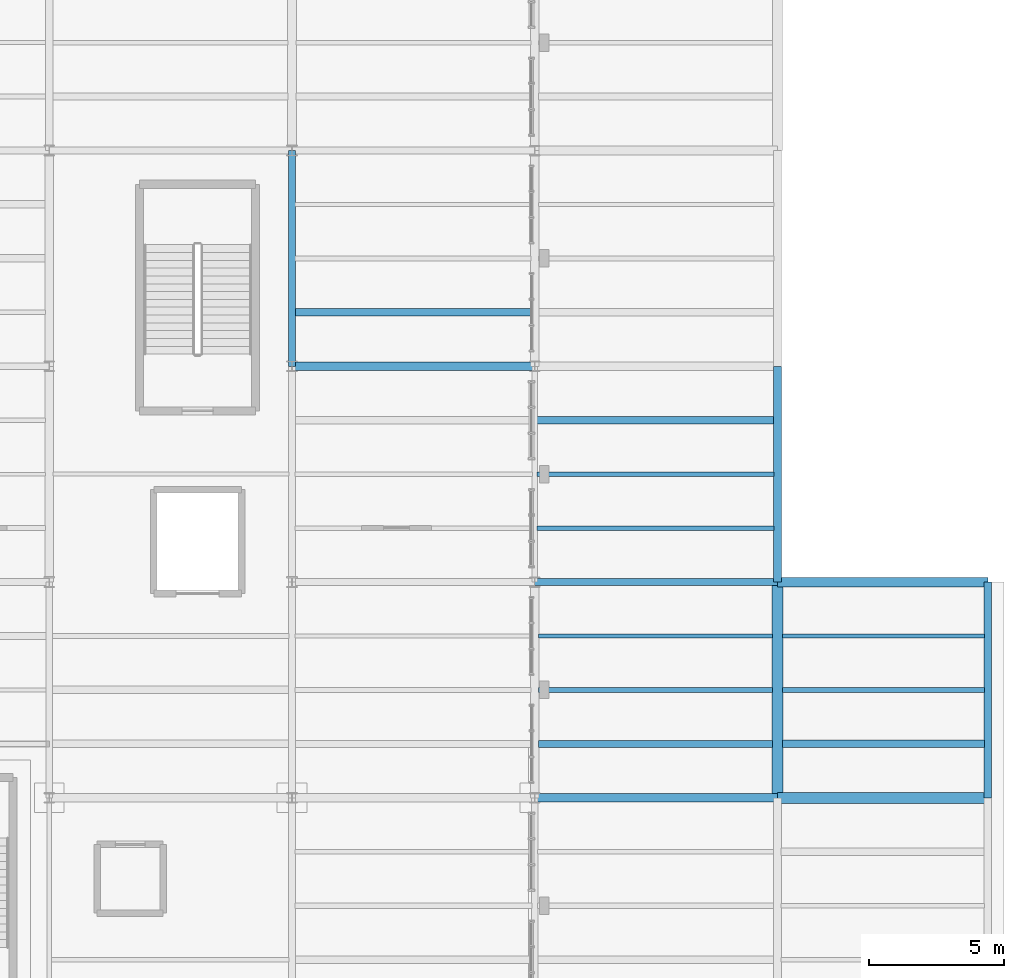
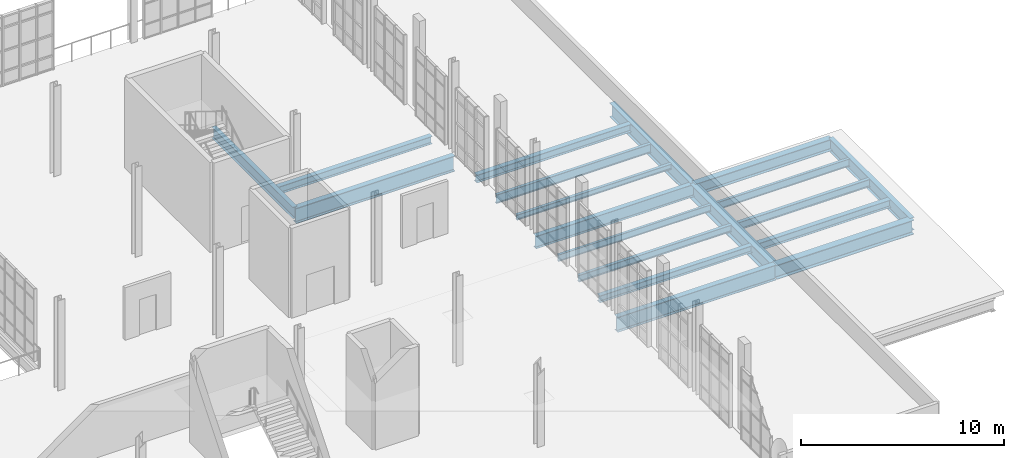
# One storey, part 79 of 142: 19 beams.
"""IFC4 building model written with IfcOpenShell, lengths in metres."""

from ifc_helpers import new_model, si_unit, direction, frame, origin, origin_2d, place, context, subcontext, project, spatial, i_section, extrude, material, material_profile, profile_set, type_object, element, save


model = new_model("IFC4")

# Units and contexts
model_context = context("Model", 3, precision=1e-05, world=origin(), true_north=direction((0.0, 1.0)))
body_context = subcontext(model_context, "Body", "Model", "MODEL_VIEW")
ifc_project = project(units=[si_unit("LENGTHUNIT", "METRE"), si_unit("AREAUNIT", "SQUARE_METRE"), si_unit("VOLUMEUNIT", "CUBIC_METRE"), si_unit("PLANEANGLEUNIT", "RADIAN"), si_unit("MASSUNIT", "GRAM", prefix="KILO"), si_unit("THERMODYNAMICTEMPERATUREUNIT", "KELVIN"), si_unit("POWERUNIT", "WATT")], contexts=[model_context])

# Site, building, storey
site_placement = place(None, origin())
site = spatial("IfcSite", under=ifc_project, at=site_placement, CompositionType="ELEMENT")
building_placement = place(site_placement, origin())
building = spatial("IfcBuilding", under=site, at=building_placement, Name="Zelmaris Science Centre", CompositionType="ELEMENT")
storey_placement = place(building_placement, frame((0.0, 0.0, 5.39990234375)))
storey = spatial("IfcBuildingStorey", under=building, at=storey_placement, Name="L01", CompositionType="ELEMENT", Elevation=5.39990234375)

# Beams
ifc_material = material(Name="Steel ASTM A992 Grade 50", Category="steel")
ifc_material_profile_1 = material_profile(ifc_material, i_section(OverallWidth=0.306884765625, OverallDepth=0.927001953125, WebThickness=0.019287109375, FlangeThickness=0.031982421875, FilletRadius=0.02392578125, at=origin_2d()), Name="W36X194")
ifc_profile_set_1 = profile_set([ifc_material_profile_1], Name="Steel ASTM A992 Grade 50")
beam_type_1 = type_object("IfcBeamType", Name="Beam G-03 W36X194", PredefinedType="BEAM", material=ifc_profile_set_1)
beam_1_placement = place(storey_placement, frame((135.0, 40.0, -0.743408203125), z_axis=(1.0, 0.0, 0.0), x_axis=(0.0, 1.0, 0.0)))
element("IfcBeam", 1, at=beam_1_placement, inside=storey, type_object=beam_type_1, Name="L01 East-west girder 372", PredefinedType="BEAM", context=body_context, shape_type="SweptSolid", body=[
    extrude(i_section(OverallWidth=0.306884765625, OverallDepth=0.927001953125, WebThickness=0.019287109375, FlangeThickness=0.031982421875, FilletRadius=0.02392578125, at=origin_2d()), origin(), (0.0, 0.0, 1.0), 9.0),
])
ifc_material_profile_2 = material_profile(ifc_material, i_section(OverallWidth=0.25390625, OverallDepth=0.68310546875, WebThickness=0.012451171875, FlangeThickness=0.018798828125, FilletRadius=0.01806640625, at=origin_2d()), Name="W27X94")
ifc_profile_set_2 = profile_set([ifc_material_profile_2], Name="Steel ASTM A992 Grade 50")
beam_type_2 = type_object("IfcBeamType", Name="Beam G-13 W27X94", PredefinedType="BEAM", material=ifc_profile_set_2)
beam_2_placement = place(storey_placement, frame((135.0, 40.0, -0.621337890625), z_axis=(0.0, 1.0, 0.0), x_axis=(-1.0, 0.0, 0.0)))
element("IfcBeam", 2, at=beam_2_placement, inside=storey, type_object=beam_type_2, Name="L01 North-south girder 317", PredefinedType="BEAM", context=body_context, shape_type="SweptSolid", body=[
    extrude(i_section(OverallWidth=0.25390625, OverallDepth=0.68310546875, WebThickness=0.012451171875, FlangeThickness=0.018798828125, FilletRadius=0.01806640625, at=origin_2d()), origin(), (0.0, 0.0, 1.0), 8.0),
])
ifc_material_profile_3 = material_profile(ifc_material, i_section(OverallWidth=0.304931640625, OverallDepth=0.912109375, WebThickness=0.015869140625, FlangeThickness=0.02392578125, FilletRadius=0.02392578125, at=origin_2d()), Name="W36X150")
ifc_profile_set_3 = profile_set([ifc_material_profile_3], Name="Steel ASTM A992 Grade 50")
beam_type_3 = type_object("IfcBeamType", Name="Beam G-27 W36X150", PredefinedType="BEAM", material=ifc_profile_set_3)
beam_3_placement = place(storey_placement, frame((144.0, 24.0, -0.73583984375), z_axis=(1.0, 0.0, 0.0), x_axis=(0.0, 1.0, 0.0)))
element("IfcBeam", 3, at=beam_3_placement, inside=storey, type_object=beam_type_3, Name="L01 East-west girder 357", PredefinedType="BEAM", context=body_context, shape_type="SweptSolid", body=[
    extrude(i_section(OverallWidth=0.304931640625, OverallDepth=0.912109375, WebThickness=0.015869140625, FlangeThickness=0.02392578125, FilletRadius=0.02392578125, at=origin_2d()), origin(), (0.0, 0.0, 1.0), 9.0),
])
ifc_material_profile_4 = material_profile(ifc_material, i_section(OverallWidth=0.404052734375, OverallDepth=0.861083984375, WebThickness=0.019775390625, FlangeThickness=0.032470703125, FilletRadius=0.02001953125, at=origin_2d()), Name="W33X221")
ifc_profile_set_4 = profile_set([ifc_material_profile_4], Name="Steel ASTM A992 Grade 50")
beam_type_4 = type_object("IfcBeamType", Name="Beam G-28 W33X221", PredefinedType="BEAM", material=ifc_profile_set_4)
beam_4_placement = place(storey_placement, frame((153.0, 24.0, -0.71044921875), z_axis=(0.0, 1.0, 0.0), x_axis=(-1.0, 0.0, 0.0)))
element("IfcBeam", 4, at=beam_4_placement, inside=storey, type_object=beam_type_4, Name="L01 North-south girder 327", PredefinedType="BEAM", context=body_context, shape_type="SweptSolid", body=[
    extrude(i_section(OverallWidth=0.404052734375, OverallDepth=0.861083984375, WebThickness=0.019775390625, FlangeThickness=0.032470703125, FilletRadius=0.02001953125, at=origin_2d()), origin(), (0.0, 0.0, 1.0), 8.0),
])
beam_5_placement = place(storey_placement, frame((153.0, 24.0, -0.71044921875), z_axis=(1.0, 0.0, 0.0), x_axis=(0.0, 1.0, 0.0)))
element("IfcBeam", 5, at=beam_5_placement, inside=storey, type_object=beam_type_4, Name="L01 East-west girder 358", PredefinedType="BEAM", context=body_context, shape_type="SweptSolid", body=[
    extrude(i_section(OverallWidth=0.404052734375, OverallDepth=0.861083984375, WebThickness=0.019775390625, FlangeThickness=0.032470703125, FilletRadius=0.02001953125, at=origin_2d()), origin(), (0.0, 0.0, 1.0), 7.800048828125),
])
ifc_material_profile_5 = material_profile(ifc_material, i_section(OverallWidth=0.2919921875, OverallDepth=0.85888671875, WebThickness=0.01708984375, FlangeThickness=0.031005859375, FilletRadius=0.02001953125, at=origin_2d()), Name="W33X169")
ifc_profile_set_5 = profile_set([ifc_material_profile_5], Name="Steel ASTM A992 Grade 50")
beam_type_5 = type_object("IfcBeamType", Name="Beam G-29 W33X169", PredefinedType="BEAM", material=ifc_profile_set_5)
beam_6_placement = place(storey_placement, frame((153.0, 32.0, -0.70947265625), z_axis=(0.0, 1.0, 0.0), x_axis=(-1.0, 0.0, 0.0)))
element("IfcBeam", 6, at=beam_6_placement, inside=storey, type_object=beam_type_5, Name="L01 North-south girder 328", PredefinedType="BEAM", context=body_context, shape_type="SweptSolid", body=[
    extrude(i_section(OverallWidth=0.2919921875, OverallDepth=0.85888671875, WebThickness=0.01708984375, FlangeThickness=0.031005859375, FilletRadius=0.02001953125, at=origin_2d()), origin(), (0.0, 0.0, 1.0), 8.0),
])
ifc_material_profile_6 = material_profile(ifc_material, i_section(OverallWidth=0.26708984375, OverallDepth=0.761962890625, WebThickness=0.014404296875, FlangeThickness=0.021484375, FilletRadius=0.01904296875, at=origin_2d()), Name="W30X116")
ifc_profile_set_6 = profile_set([ifc_material_profile_6], Name="Steel ASTM A992 Grade 50")
beam_type_6 = type_object("IfcBeamType", Name="Beam G-33 W30X116", PredefinedType="BEAM", material=ifc_profile_set_6)
beam_7_placement = place(storey_placement, frame((160.800048828125, 24.0, -0.660888671875), z_axis=(0.0, 1.0, 0.0), x_axis=(-1.0, 0.0, 0.0)))
element("IfcBeam", 7, at=beam_7_placement, inside=storey, type_object=beam_type_6, Name="L01 North-south girder 332", PredefinedType="BEAM", context=body_context, shape_type="SweptSolid", body=[
    extrude(i_section(OverallWidth=0.26708984375, OverallDepth=0.761962890625, WebThickness=0.014404296875, FlangeThickness=0.021484375, FilletRadius=0.01904296875, at=origin_2d()), origin(), (0.0, 0.0, 1.0), 8.0),
])
ifc_material_profile_7 = material_profile(ifc_material, i_section(OverallWidth=0.26708984375, OverallDepth=0.75390625, WebThickness=0.01318359375, FlangeThickness=0.01708984375, FilletRadius=0.01904296875, at=origin_2d()), Name="W30X99")
ifc_profile_set_7 = profile_set([ifc_material_profile_7], Name="Steel ASTM A992 Grade 50")
beam_type_7 = type_object("IfcBeamType", Name="Beam G-34 W30X99", PredefinedType="BEAM", material=ifc_profile_set_7)
beam_8_placement = place(storey_placement, frame((144.0, 32.0, -0.656982421875), z_axis=(1.0, 0.0, 0.0), x_axis=(0.0, 1.0, 0.0)))
element("IfcBeam", 8, at=beam_8_placement, inside=storey, type_object=beam_type_7, Name="L01 East-west girder 364", PredefinedType="BEAM", context=body_context, shape_type="SweptSolid", body=[
    extrude(i_section(OverallWidth=0.26708984375, OverallDepth=0.75390625, WebThickness=0.01318359375, FlangeThickness=0.01708984375, FilletRadius=0.01904296875, at=origin_2d()), origin(), (0.0, 0.0, 1.0), 9.0),
])
ifc_material_profile_8 = material_profile(ifc_material, i_section(OverallWidth=0.35595703125, OverallDepth=0.700927734375, WebThickness=0.016845703125, FlangeThickness=0.02734375, FilletRadius=0.01806640625, at=origin_2d()), Name="W27X161")
ifc_profile_set_8 = profile_set([ifc_material_profile_8], Name="Steel ASTM A992 Grade 50")
beam_type_8 = type_object("IfcBeamType", Name="Beam G-35 W27X161", PredefinedType="BEAM", material=ifc_profile_set_8)
beam_9_placement = place(storey_placement, frame((153.0, 32.0, -0.63037109375), z_axis=(1.0, 0.0, 0.0), x_axis=(0.0, 1.0, 0.0)))
element("IfcBeam", 9, at=beam_9_placement, inside=storey, type_object=beam_type_8, Name="L01 East-west girder 365", PredefinedType="BEAM", context=body_context, shape_type="SweptSolid", body=[
    extrude(i_section(OverallWidth=0.35595703125, OverallDepth=0.700927734375, WebThickness=0.016845703125, FlangeThickness=0.02734375, FilletRadius=0.01806640625, at=origin_2d()), origin(), (0.0, 0.0, 1.0), 7.800048828125),
])
ifc_material_profile_9 = material_profile(ifc_material, i_section(OverallWidth=0.16796875, OverallDepth=0.532958984375, WebThickness=0.01025390625, FlangeThickness=0.0166015625, FilletRadius=0.013916015625, at=origin_2d()), Name="W21X57")
ifc_profile_set_9 = profile_set([ifc_material_profile_9], Name="Steel ASTM A992 Grade 50")
beam_type_9 = type_object("IfcBeamType", Name="Beam J-01 W21X57", PredefinedType="JOIST", material=ifc_profile_set_9)
beam_10_placement = place(storey_placement, frame((144.090576171875, 36.0, -0.54638671875), z_axis=(1.0, 0.0, 0.0), x_axis=(0.0, 1.0, 0.0)))
element("IfcBeam", 10, at=beam_10_placement, inside=storey, type_object=beam_type_9, Name="L01 Composite floor joist 225", PredefinedType="JOIST", context=body_context, shape_type="SweptSolid", body=[
    extrude(i_section(OverallWidth=0.16796875, OverallDepth=0.532958984375, WebThickness=0.01025390625, FlangeThickness=0.0166015625, FilletRadius=0.013916015625, at=origin_2d()), origin(), (0.0, 0.0, 1.0), 8.7783203125),
])
ifc_material_profile_10 = material_profile(ifc_material, i_section(OverallWidth=0.281982421875, OverallDepth=0.471923828125, WebThickness=0.013671875, FlangeThickness=0.022216796875, FilletRadius=0.012939453125, at=origin_2d()), Name="W18X97")
ifc_profile_set_10 = profile_set([ifc_material_profile_10], Name="Steel ASTM A992 Grade 50")
beam_type_10 = type_object("IfcBeamType", Name="Beam J-02 W18X97", PredefinedType="JOIST", material=ifc_profile_set_10)
beam_11_placement = place(storey_placement, frame((144.090576171875, 38.0, -0.515869140625), z_axis=(1.0, 0.0, 0.0), x_axis=(0.0, 1.0, 0.0)))
element("IfcBeam", 11, at=beam_11_placement, inside=storey, type_object=beam_type_10, Name="L01 Composite floor joist 226", PredefinedType="JOIST", context=body_context, shape_type="SweptSolid", body=[
    extrude(i_section(OverallWidth=0.281982421875, OverallDepth=0.471923828125, WebThickness=0.013671875, FlangeThickness=0.022216796875, FilletRadius=0.012939453125, at=origin_2d()), origin(), (0.0, 0.0, 1.0), 8.7783203125),
])
ifc_material_profile_11 = material_profile(ifc_material, i_section(OverallWidth=0.279052734375, OverallDepth=0.4619140625, WebThickness=0.0107421875, FlangeThickness=0.017333984375, FilletRadius=0.012939453125, at=origin_2d()), Name="W18X76")
ifc_profile_set_11 = profile_set([ifc_material_profile_11], Name="Steel ASTM A992 Grade 50")
beam_type_11 = type_object("IfcBeamType", Name="Beam J-03 W18X76", PredefinedType="JOIST", material=ifc_profile_set_11)
beam_12_placement = place(storey_placement, frame((135.112060546875, 42.0, -0.510986328125), z_axis=(1.0, 0.0, 0.0), x_axis=(0.0, 1.0, 0.0)))
element("IfcBeam", 12, at=beam_12_placement, inside=storey, type_object=beam_type_11, Name="L01 Composite floor joist 209", PredefinedType="JOIST", context=body_context, shape_type="SweptSolid", body=[
    extrude(i_section(OverallWidth=0.279052734375, OverallDepth=0.4619140625, WebThickness=0.0107421875, FlangeThickness=0.017333984375, FilletRadius=0.012939453125, at=origin_2d()), origin(), (0.0, 0.0, 1.0), 8.7529296875),
])
beam_13_placement = place(storey_placement, frame((153.18701171875, 26.0, -0.510986328125), z_axis=(1.0, 0.0, 0.0), x_axis=(0.0, 1.0, 0.0)))
element("IfcBeam", 13, at=beam_13_placement, inside=storey, type_object=beam_type_11, Name="L01 Composite floor joist 236", PredefinedType="JOIST", context=body_context, shape_type="SweptSolid", body=[
    extrude(i_section(OverallWidth=0.279052734375, OverallDepth=0.4619140625, WebThickness=0.0107421875, FlangeThickness=0.017333984375, FilletRadius=0.012939453125, at=origin_2d()), origin(), (0.0, 0.0, 1.0), 7.494384765625),
])
ifc_material_profile_12 = material_profile(ifc_material, i_section(OverallWidth=0.19091796875, OverallDepth=0.4599609375, WebThickness=0.010009765625, FlangeThickness=0.01611328125, FilletRadius=0.012939453125, at=origin_2d()), Name="W18X55")
ifc_profile_set_12 = profile_set([ifc_material_profile_12], Name="Steel ASTM A992 Grade 50")
beam_type_12 = type_object("IfcBeamType", Name="Beam J-04 W18X55", PredefinedType="JOIST", material=ifc_profile_set_12)
beam_14_placement = place(storey_placement, frame((153.18701171875, 28.0, -0.510009765625), z_axis=(1.0, 0.0, 0.0), x_axis=(0.0, 1.0, 0.0)))
element("IfcBeam", 14, at=beam_14_placement, inside=storey, type_object=beam_type_12, Name="L01 Composite floor joist 237", PredefinedType="JOIST", context=body_context, shape_type="SweptSolid", body=[
    extrude(i_section(OverallWidth=0.19091796875, OverallDepth=0.4599609375, WebThickness=0.010009765625, FlangeThickness=0.01611328125, FilletRadius=0.012939453125, at=origin_2d()), origin(), (0.0, 0.0, 1.0), 7.494384765625),
])
ifc_material_profile_13 = material_profile(ifc_material, i_section(OverallWidth=0.152099609375, OverallDepth=0.455078125, WebThickness=0.008056640625, FlangeThickness=0.01318359375, FilletRadius=0.012939453125, at=origin_2d()), Name="W18X40")
ifc_profile_set_13 = profile_set([ifc_material_profile_13], Name="Steel ASTM A992 Grade 50")
beam_type_13 = type_object("IfcBeamType", Name="Beam J-05 W18X40", PredefinedType="JOIST", material=ifc_profile_set_13)
beam_15_placement = place(storey_placement, frame((153.18701171875, 30.0, -0.50732421875), z_axis=(1.0, 0.0, 0.0), x_axis=(0.0, 1.0, 0.0)))
element("IfcBeam", 15, at=beam_15_placement, inside=storey, type_object=beam_type_13, Name="L01 Composite floor joist 238", PredefinedType="JOIST", context=body_context, shape_type="SweptSolid", body=[
    extrude(i_section(OverallWidth=0.152099609375, OverallDepth=0.455078125, WebThickness=0.008056640625, FlangeThickness=0.01318359375, FilletRadius=0.012939453125, at=origin_2d()), origin(), (0.0, 0.0, 1.0), 7.494384765625),
])
ifc_material_profile_14 = material_profile(ifc_material, i_section(OverallWidth=0.260009765625, OverallDepth=0.4140625, WebThickness=0.010009765625, FlangeThickness=0.016845703125, FilletRadius=0.011962890625, at=origin_2d()), Name="W16X67")
ifc_profile_set_14 = profile_set([ifc_material_profile_14], Name="Steel ASTM A992 Grade 50")
beam_type_14 = type_object("IfcBeamType", Name="Beam J-06 W16X67", PredefinedType="JOIST", material=ifc_profile_set_14)
beam_16_placement = place(storey_placement, frame((144.14111328125, 26.0, -0.48681640625), z_axis=(1.0, 0.0, 0.0), x_axis=(0.0, 1.0, 0.0)))
element("IfcBeam", 16, at=beam_16_placement, inside=storey, type_object=beam_type_14, Name="L01 Composite floor joist 221", PredefinedType="JOIST", context=body_context, shape_type="SweptSolid", body=[
    extrude(i_section(OverallWidth=0.260009765625, OverallDepth=0.4140625, WebThickness=0.010009765625, FlangeThickness=0.016845703125, FilletRadius=0.011962890625, at=origin_2d()), origin(), (0.0, 0.0, 1.0), 8.671875),
])
ifc_material_profile_15 = material_profile(ifc_material, i_section(OverallWidth=0.177978515625, OverallDepth=0.408935546875, WebThickness=0.0087890625, FlangeThickness=0.014404296875, FilletRadius=0.011962890625, at=origin_2d()), Name="W16X45")
ifc_profile_set_15 = profile_set([ifc_material_profile_15], Name="Steel ASTM A992 Grade 50")
beam_type_15 = type_object("IfcBeamType", Name="Beam J-07 W16X45", PredefinedType="JOIST", material=ifc_profile_set_15)
beam_17_placement = place(storey_placement, frame((144.14111328125, 28.0, -0.484375), z_axis=(1.0, 0.0, 0.0), x_axis=(0.0, 1.0, 0.0)))
element("IfcBeam", 17, at=beam_17_placement, inside=storey, type_object=beam_type_15, Name="L01 Composite floor joist 222", PredefinedType="JOIST", context=body_context, shape_type="SweptSolid", body=[
    extrude(i_section(OverallWidth=0.177978515625, OverallDepth=0.408935546875, WebThickness=0.0087890625, FlangeThickness=0.014404296875, FilletRadius=0.011962890625, at=origin_2d()), origin(), (0.0, 0.0, 1.0), 8.671875),
])
ifc_material_profile_16 = material_profile(ifc_material, i_section(OverallWidth=0.139892578125, OverallDepth=0.404052734375, WebThickness=0.007080078125, FlangeThickness=0.01123046875, FilletRadius=0.011962890625, at=origin_2d()), Name="W16X31")
ifc_profile_set_16 = profile_set([ifc_material_profile_16], Name="Steel ASTM A992 Grade 50")
beam_type_16 = type_object("IfcBeamType", Name="Beam J-08 W16X31", PredefinedType="JOIST", material=ifc_profile_set_16)
beam_18_placement = place(storey_placement, frame((144.14111328125, 30.0, -0.48193359375), z_axis=(1.0, 0.0, 0.0), x_axis=(0.0, 1.0, 0.0)))
element("IfcBeam", 18, at=beam_18_placement, inside=storey, type_object=beam_type_16, Name="L01 Composite floor joist 223", PredefinedType="JOIST", context=body_context, shape_type="SweptSolid", body=[
    extrude(i_section(OverallWidth=0.139892578125, OverallDepth=0.404052734375, WebThickness=0.007080078125, FlangeThickness=0.01123046875, FilletRadius=0.011962890625, at=origin_2d()), origin(), (0.0, 0.0, 1.0), 8.671875),
])
ifc_material_profile_17 = material_profile(ifc_material, i_section(OverallWidth=0.1669921875, OverallDepth=0.318115234375, WebThickness=0.007568359375, FlangeThickness=0.01318359375, FilletRadius=0.011962890625, at=origin_2d()), Name="W12X35")
ifc_profile_set_17 = profile_set([ifc_material_profile_17], Name="Steel ASTM A992 Grade 50")
beam_type_17 = type_object("IfcBeamType", Name="Beam J-09 W12X35", PredefinedType="JOIST", material=ifc_profile_set_17)
beam_19_placement = place(storey_placement, frame((144.090576171875, 34.0, -0.43896484375), z_axis=(1.0, 0.0, 0.0), x_axis=(0.0, 1.0, 0.0)))
element("IfcBeam", 19, at=beam_19_placement, inside=storey, type_object=beam_type_17, Name="L01 Composite floor joist 224", PredefinedType="JOIST", context=body_context, shape_type="SweptSolid", body=[
    extrude(i_section(OverallWidth=0.1669921875, OverallDepth=0.318115234375, WebThickness=0.007568359375, FlangeThickness=0.01318359375, FilletRadius=0.011962890625, at=origin_2d()), origin(), (0.0, 0.0, 1.0), 8.7783203125),
])

save(model, "model.ifc")
